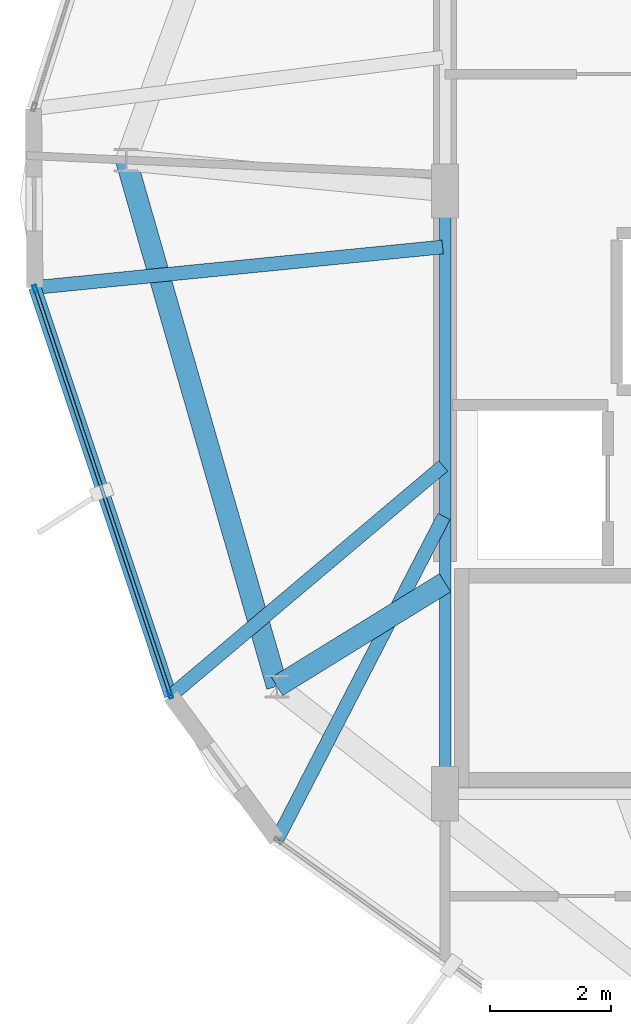
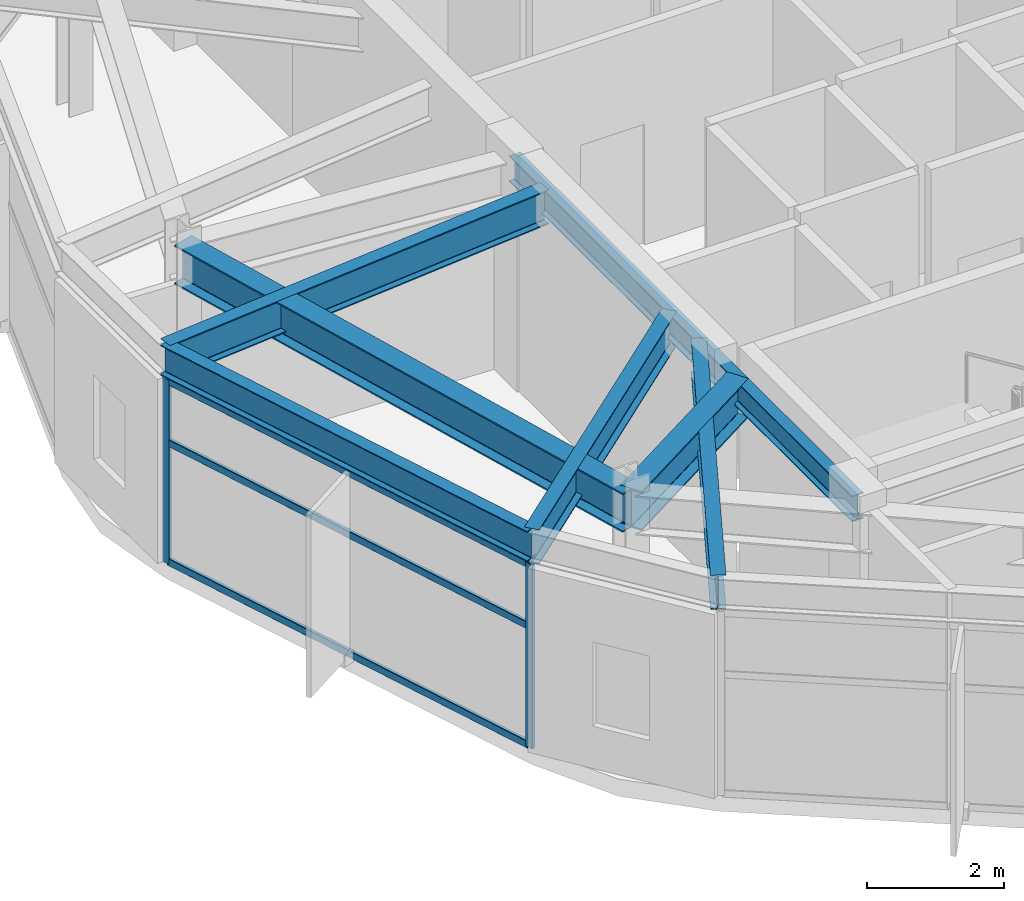
# One storey, part 4 of 22: 7 beams, 5 members, 1 element without a shape of its own.
"""IFC4 building model written with IfcOpenShell, lengths in metres."""

from ifc_helpers import new_model, si_unit, direction, frame, origin, origin_2d, place, context, subcontext, project, spatial, hollow_rectangle, i_section, extrude, material, layer, layer_set, material_profile, profile_set, type_object, element, aggregate, save


model = new_model("IFC4")

# Units and contexts
model_context = context("Model", 3, precision=1e-05, world=origin(), true_north=direction((0.0, 1.0)))
body_context = subcontext(model_context, "Body", "Model", "MODEL_VIEW")
ifc_project = project(units=[si_unit("LENGTHUNIT", "METRE"), si_unit("AREAUNIT", "SQUARE_METRE"), si_unit("VOLUMEUNIT", "CUBIC_METRE"), si_unit("PLANEANGLEUNIT", "RADIAN"), si_unit("MASSUNIT", "GRAM", prefix="KILO")], contexts=[model_context])

# Site, building, storey
site_placement = place(None, origin())
site = spatial("IfcSite", under=ifc_project, at=site_placement, CompositionType="ELEMENT")
building_placement = place(site_placement, origin())
building = spatial("IfcBuilding", under=site, at=building_placement, Name="Soratama Intermodal Tower", CompositionType="ELEMENT")
storey_placement = place(building_placement, frame((0.0, 0.0, 301.449951171875)))
storey = spatial("IfcBuildingStorey", under=building, at=storey_placement, Name="L76", CompositionType="ELEMENT", Elevation=301.449951171875)

# Beams
ifc_material_1 = material(Name="Structural steel ASTM A992 Grade 50", Category="steel")
ifc_material_profile_1 = material_profile(ifc_material_1, i_section(OverallWidth=0.19091796875, OverallDepth=0.4599609375, WebThickness=0.010009765625, FlangeThickness=0.01611328125, FilletRadius=0.010986328125, at=origin_2d()), Name="W18X55")
ifc_profile_set_1 = profile_set([ifc_material_profile_1], Name="Structural steel ASTM A992 Grade 50")
beam_type_1 = type_object("IfcBeamType", Name="BM-FLR-W18X55", PredefinedType="BEAM", material=ifc_profile_set_1)
beam_1_placement = place(storey_placement, frame((32.60009765625, 25.0, 3.6650390625), z_axis=(0.0, -1.0, 0.0), x_axis=(1.0, 0.0, 0.0)))
element("IfcBeam", 1, at=beam_1_placement, inside=storey, type_object=beam_type_1, Name="BM-L76-CRING-09", PredefinedType="BEAM", context=body_context, shape_type="SweptSolid", body=[
    extrude(i_section(OverallWidth=0.19091796875, OverallDepth=0.4599609375, WebThickness=0.010009765625, FlangeThickness=0.01611328125, FilletRadius=0.010986328125, at=origin_2d()), origin(), (0.0, 0.0, 1.0), 10.0),
])
ifc_material_2 = material(Name="Structural steel ASTM A992 Grade 50", Category="steel")
ifc_material_profile_2 = material_profile(ifc_material_2, i_section(OverallWidth=0.35498046875, OverallDepth=0.695068359375, WebThickness=0.015380859375, FlangeThickness=0.02490234375, FilletRadius=0.01611328125, at=origin_2d()), Name="W27X146")
ifc_profile_set_2 = profile_set([ifc_material_profile_2], Name="Structural steel ASTM A992 Grade 50")
beam_type_2 = type_object("IfcBeamType", Name="BM-RING-W27X146", PredefinedType="BEAM", material=ifc_profile_set_2)
beam_2_placement = place(storey_placement, frame((27.30908203125, 25.512939453125, 3.547607421875), z_axis=(0.275615442928, -0.961267979088, 0.0), x_axis=(0.961267979088, 0.275615442928, 0.0)))
element("IfcBeam", 2, at=beam_2_placement, inside=storey, type_object=beam_type_2, Name="BM-L76-RING-05", PredefinedType="BEAM", context=body_context, shape_type="SweptSolid", body=[
    extrude(i_section(OverallWidth=0.35498046875, OverallDepth=0.695068359375, WebThickness=0.015380859375, FlangeThickness=0.02490234375, FilletRadius=0.01611328125, at=origin_2d()), origin(), (0.0, 0.0, 1.0), 9.084716796875),
])
beam_3_placement = place(storey_placement, frame((32.60009765625, 18.5, 3.547607421875), z_axis=(-0.850999862817, -0.525165910437, 0.0), x_axis=(0.525165910437, -0.850999862817, 0.0)))
element("IfcBeam", 3, at=beam_3_placement, inside=storey, type_object=beam_type_2, Name="BM-L76-RAD-06", PredefinedType="BEAM", context=body_context, shape_type="SweptSolid", body=[
    extrude(i_section(OverallWidth=0.35498046875, OverallDepth=0.695068359375, WebThickness=0.015380859375, FlangeThickness=0.02490234375, FilletRadius=0.01611328125, at=origin_2d()), origin(), (0.0, 0.0, 1.0), 3.275146484375),
])
ifc_material_3 = material(Name="Structural steel ASTM A992 Grade 50", Category="steel")
ifc_material_profile_3 = material_profile(ifc_material_3, i_section(OverallWidth=0.2099609375, OverallDepth=0.537109375, WebThickness=0.010986328125, FlangeThickness=0.017333984375, FilletRadius=0.012939453125, at=origin_2d()), Name="W21X68")
ifc_profile_set_3 = profile_set([ifc_material_profile_3], Name="Structural steel ASTM A992 Grade 50")
beam_type_3 = type_object("IfcBeamType", Name="BM-SPN-W21X68", PredefinedType="SPANDREL", material=ifc_profile_set_3)
beam_4_placement = place(storey_placement, frame((25.79296875, 23.39892578125, 3.62646484375), z_axis=(0.315950812646, -0.948775570927, 0.0), x_axis=(0.948775570927, 0.315950812646, 0.0)))
element("IfcBeam", 4, at=beam_4_placement, inside=storey, type_object=beam_type_3, Name="BS-L76-F04", PredefinedType="SPANDREL", context=body_context, shape_type="SweptSolid", body=[
    extrude(i_section(OverallWidth=0.2099609375, OverallDepth=0.537109375, WebThickness=0.010986328125, FlangeThickness=0.017333984375, FilletRadius=0.012939453125, at=origin_2d()), origin(), (0.0, 0.0, 1.0), 7.140625),
])
ifc_material_4 = material(Name="Structural steel ASTM A992 Grade 50", Category="steel")
ifc_material_profile_4 = material_profile(ifc_material_4, i_section(OverallWidth=0.22900390625, OverallDepth=0.612060546875, WebThickness=0.011962890625, FlangeThickness=0.01953125, FilletRadius=0.012939453125, at=origin_2d()), Name="W24X84")
ifc_profile_set_4 = profile_set([ifc_material_profile_4], Name="Structural steel ASTM A992 Grade 50")
beam_type_4 = type_object("IfcBeamType", Name="BM-TIE-W24X84", PredefinedType="BEAM", material=ifc_profile_set_4)
beam_5_placement = place(storey_placement, frame((32.56005859375, 24.071044921875, 3.589111328125), z_axis=(-0.995103791428, -0.098835440429, 0.0), x_axis=(0.098835440429, -0.995103791428, 0.0)))
element("IfcBeam", 5, at=beam_5_placement, inside=storey, type_object=beam_type_4, Name="BM-L76-TIE0-04", PredefinedType="BEAM", context=body_context, shape_type="SweptSolid", body=[
    extrude(i_section(OverallWidth=0.22900390625, OverallDepth=0.612060546875, WebThickness=0.011962890625, FlangeThickness=0.01953125, FilletRadius=0.012939453125, at=origin_2d()), origin(), (0.0, 0.0, 1.0), 6.80029296875),
])
beam_6_placement = place(storey_placement, frame((32.569091796875, 20.43896484375, 3.589111328125), z_axis=(-0.764193569515, -0.644986967551, 0.0), x_axis=(0.644986967551, -0.764193569515, 0.0)))
element("IfcBeam", 6, at=beam_6_placement, inside=storey, type_object=beam_type_4, Name="BM-L76-TIE1-04", PredefinedType="BEAM", context=body_context, shape_type="SweptSolid", body=[
    extrude(i_section(OverallWidth=0.22900390625, OverallDepth=0.612060546875, WebThickness=0.011962890625, FlangeThickness=0.01953125, FilletRadius=0.012939453125, at=origin_2d()), origin(), (0.0, 0.0, 1.0), 5.914794921875),
])
beam_7_placement = place(storey_placement, frame((32.58203125, 19.60107421875, 3.589111328125), z_axis=(-0.458966323428, -0.888453664497, 0.0), x_axis=(0.888453664497, -0.458966323428, 0.0)))
element("IfcBeam", 7, at=beam_7_placement, inside=storey, type_object=beam_type_4, Name="BM-L76-TIE0-05", PredefinedType="BEAM", context=body_context, shape_type="SweptSolid", body=[
    extrude(i_section(OverallWidth=0.22900390625, OverallDepth=0.612060546875, WebThickness=0.011962890625, FlangeThickness=0.01953125, FilletRadius=0.012939453125, at=origin_2d()), origin(), (0.0, 0.0, 1.0), 6.037353515625),
])

# Curtain wall, members
ifc_material_5 = material(Name="Double-glazed aluminium curtain wall", Category="aluminium")
ifc_layer = layer(ifc_material_5, 0.159912109375)
ifc_layer_set = layer_set([ifc_layer], Name="Double-glazed aluminium curtain wall")
curtain_wall_type = type_object("IfcCurtainWallType", Name="CW-SYS-6", PredefinedType="NOTDEFINED", material=ifc_layer_set)
curtain_wall_placement = place(storey_placement, origin())
curtain_wall = element("IfcCurtainWall", 8, at=curtain_wall_placement, inside=storey, type_object=curtain_wall_type, Name="L76 Faceted Curtain Wall F04", PredefinedType="NOTDEFINED")
ifc_material_6 = material(Name="Anodised aluminium AA 6063-T6", Category="aluminium")
ifc_material_profile_5 = material_profile(ifc_material_6, hollow_rectangle(XDim=0.06494140625, YDim=0.139892578125, WallThickness=0.0048828125, InnerFilletRadius=0.0048828125, OuterFilletRadius=0.010009765625, at=origin_2d()), Name="CWM140X65X5")
ifc_profile_set_5 = profile_set([ifc_material_profile_5], Name="Anodised aluminium AA 6063-T6")
member_type_1 = type_object("IfcMemberType", Name="MT-CWM-6", PredefinedType="MULLION", material=ifc_profile_set_5)
member_1_placement = place(storey_placement, frame((25.802734375, 23.3701171875, 0.0), z_axis=(0.0, 0.0, 1.0), x_axis=(0.948767296909, 0.315975657791, 0.0)))
member_1 = element("IfcMember", 9, at=member_1_placement, type_object=member_type_1, Name="CW-6 mullion 1", PredefinedType="MULLION", context=body_context, shape_type="SweptSolid", body=[
    extrude(hollow_rectangle(XDim=0.06494140625, YDim=0.139892578125, WallThickness=0.0048828125, InnerFilletRadius=0.0048828125, OuterFilletRadius=0.010009765625, at=origin_2d()), origin(), (0.0, 0.0, 1.0), 3.274169921875),
])
member_2_placement = place(storey_placement, frame((28.0400390625, 16.65283203125, 0.0), z_axis=(0.0, 0.0, 1.0), x_axis=(0.948767296909, 0.315975657791, 0.0)))
member_2 = element("IfcMember", 10, at=member_2_placement, type_object=member_type_1, Name="CW-6 mullion 2", PredefinedType="MULLION", context=body_context, shape_type="SweptSolid", body=[
    extrude(hollow_rectangle(XDim=0.06494140625, YDim=0.139892578125, WallThickness=0.0048828125, InnerFilletRadius=0.0048828125, OuterFilletRadius=0.010009765625, at=origin_2d()), origin(), (0.0, 0.0, 1.0), 3.274169921875),
])
ifc_material_7 = material(Name="Anodised aluminium AA 6063-T6", Category="aluminium")
ifc_material_profile_6 = material_profile(ifc_material_7, hollow_rectangle(XDim=0.06005859375, YDim=0.1298828125, WallThickness=0.0048828125, InnerFilletRadius=0.0048828125, OuterFilletRadius=0.010009765625, at=origin_2d()), Name="CWT130X60X5")
ifc_profile_set_6 = profile_set([ifc_material_profile_6], Name="Anodised aluminium AA 6063-T6")
member_type_2 = type_object("IfcMemberType", Name="TT-CWT-2", PredefinedType="USERDEFINED", material=ifc_profile_set_6)
member_3_placement = place(storey_placement, frame((25.812255859375, 23.341552734375, 0.030029296875), z_axis=(0.315987791586, -0.948763255807, 0.0), x_axis=(0.948763255807, 0.315987791586, 0.0)))
member_3 = element("IfcMember", 11, at=member_3_placement, type_object=member_type_2, Name="CW-6 transom 1.1", ObjectType="TRANSOM", PredefinedType="USERDEFINED", context=body_context, shape_type="SweptSolid", body=[
    extrude(hollow_rectangle(XDim=0.06005859375, YDim=0.1298828125, WallThickness=0.0048828125, InnerFilletRadius=0.0048828125, OuterFilletRadius=0.010009765625, at=origin_2d()), origin(), (0.0, 0.0, 1.0), 7.02001953125),
])
member_4_placement = place(storey_placement, frame((25.812255859375, 23.341552734375, 2.150146484375), z_axis=(0.315987791586, -0.948763255807, 0.0), x_axis=(0.948763255807, 0.315987791586, 0.0)))
member_4 = element("IfcMember", 12, at=member_4_placement, type_object=member_type_2, Name="CW-6 transom 1.2", ObjectType="TRANSOM", PredefinedType="USERDEFINED", context=body_context, shape_type="SweptSolid", body=[
    extrude(hollow_rectangle(XDim=0.06005859375, YDim=0.1298828125, WallThickness=0.0048828125, InnerFilletRadius=0.0048828125, OuterFilletRadius=0.010009765625, at=origin_2d()), origin(), (0.0, 0.0, 1.0), 7.02001953125),
])
member_5_placement = place(storey_placement, frame((25.812255859375, 23.341552734375, 3.244140625), z_axis=(0.315987791586, -0.948763255807, 0.0), x_axis=(0.948763255807, 0.315987791586, 0.0)))
member_5 = element("IfcMember", 13, at=member_5_placement, type_object=member_type_2, Name="CW-6 transom 1.3", ObjectType="TRANSOM", PredefinedType="USERDEFINED", context=body_context, shape_type="SweptSolid", body=[
    extrude(hollow_rectangle(XDim=0.06005859375, YDim=0.1298828125, WallThickness=0.0048828125, InnerFilletRadius=0.0048828125, OuterFilletRadius=0.010009765625, at=origin_2d()), origin(), (0.0, 0.0, 1.0), 7.02001953125),
])
aggregate(curtain_wall, [member_1, member_2, member_3, member_4, member_5])

save(model, "model.ifc")
